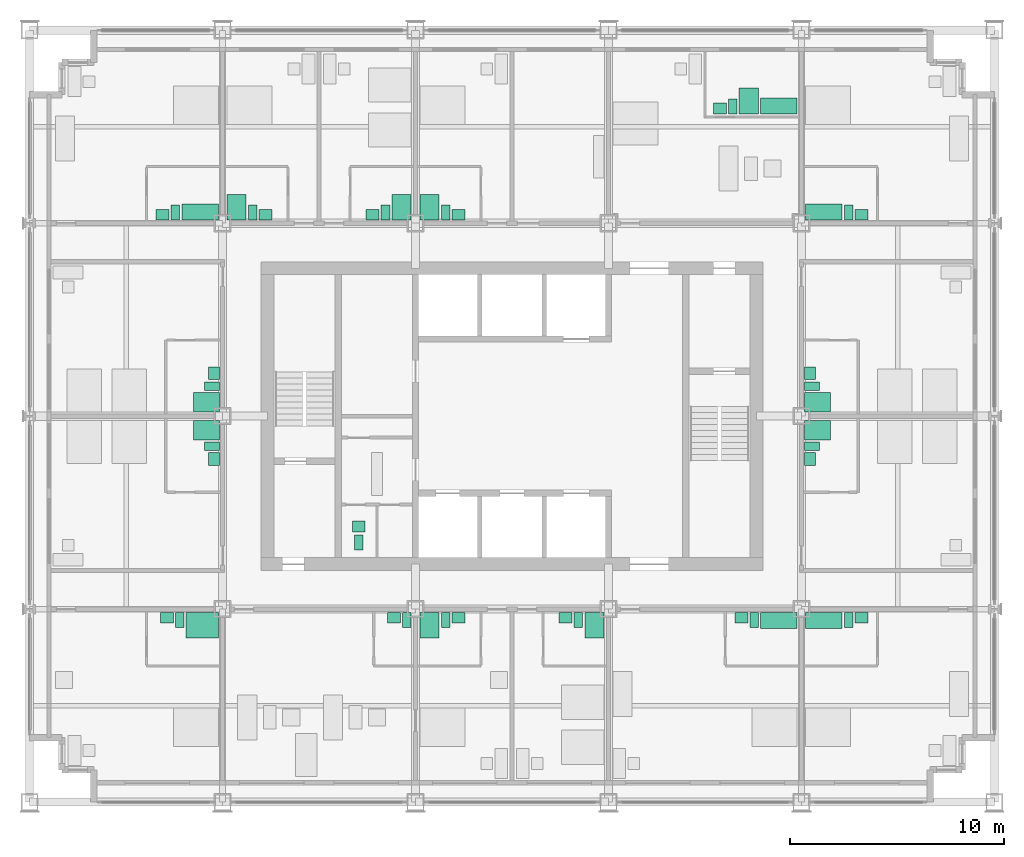
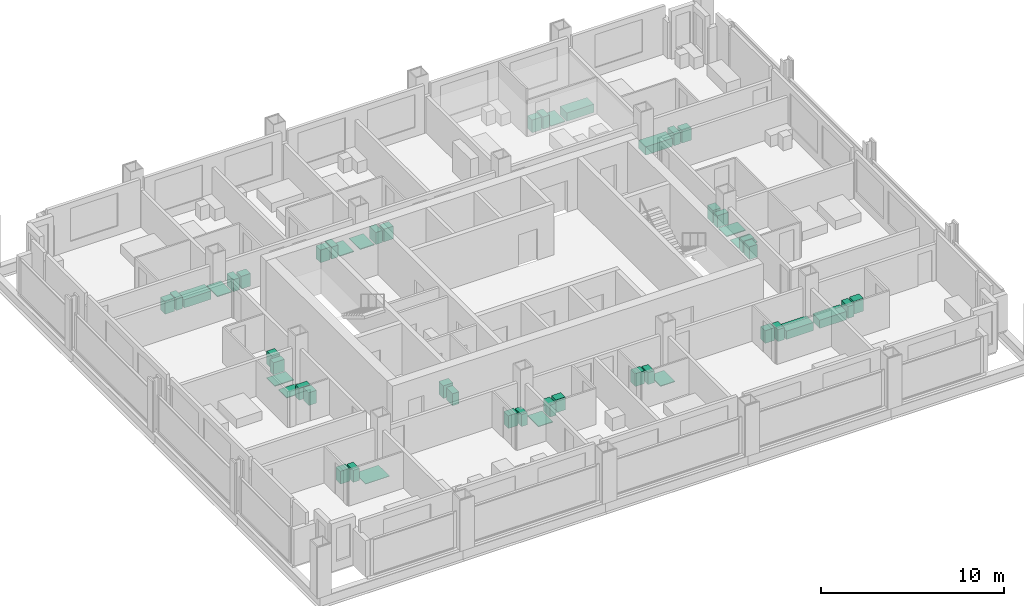
# One storey, part 15 of 16: 50 sanitary terminals.
"""IFC4 building model written with IfcOpenShell, lengths in metres."""

import ifcopenshell
import ifcopenshell.guid

model = None  # the IFC model being written
_history = None  # IfcOwnerHistory: only IFC2X3 demands one
_inside = {}  # id of a spatial element -> (the spatial element, [elements in it])
_under = {}  # id of a project, library or spatial element -> (it, [spatial elements below it])
_declared = {}  # id of a project -> (the project, [libraries it declares])
_typed = {}  # id of a type object -> (the type object, [elements of that type])
_made_of = {}  # id of a material, layer set ... -> (it, [elements and type objects made of it])


def new_model(schema):
    """Start an empty IFC model of exactly this schema.

    Asked for "IFC4X3", IfcOpenShell would pick the latest addendum, in which some entities
    have other attributes; the version numbers below select the first issue.
    IFC2X3 requires an IfcOwnerHistory on every rooted entity: one is made here for all.
    """
    global model, _history
    if schema == "IFC4X3":
        model = ifcopenshell.file(schema_version=(4, 3, 0, 0))
    else:
        model = ifcopenshell.file(schema=schema)
    _inside.clear()
    _under.clear()
    _declared.clear()
    _typed.clear()
    _made_of.clear()
    _history = None
    if model.schema == "IFC2X3":
        org = make("IfcOrganization", Name="unknown")
        user = make(
            "IfcPersonAndOrganization",
            ThePerson=make("IfcPerson", FamilyName="unknown"),
            TheOrganization=org,
        )
        app = make(
            "IfcApplication",
            ApplicationDeveloper=org,
            Version="unknown",
            ApplicationFullName="unknown",
            ApplicationIdentifier="unknown",
        )
        _history = make(
            "IfcOwnerHistory",
            OwningUser=user,
            OwningApplication=app,
            ChangeAction="ADDED",
            CreationDate=0,
        )
    return model


def make(cls, **values):
    """One entity of the class cls with the attributes given. An attribute that is None is left unset."""
    return model.create_entity(
        cls, **{name: value for name, value in values.items() if value is not None}
    )


def rooted(cls, **values):
    """An entity with a GlobalId (a new one), such as an element, a storey or a relation."""
    return make(cls, GlobalId=ifcopenshell.guid.new(), OwnerHistory=_history, **values)


def si_unit(unit_type, name, prefix=None):
    """IfcSIUnit, for example si_unit("LENGTHUNIT", "METRE", prefix="MILLI")."""
    return make("IfcSIUnit", UnitType=unit_type, Prefix=prefix, Name=name)


def assignment(units):
    """IfcUnitAssignment: the units of a project."""
    return None if units is None else make("IfcUnitAssignment", Units=units)


def point(xyz):
    """IfcCartesianPoint."""
    return None if xyz is None else make("IfcCartesianPoint", Coordinates=xyz)


def direction(xyz):
    """IfcDirection."""
    return None if xyz is None else make("IfcDirection", DirectionRatios=xyz)


def frame(location, z_axis=None, x_axis=None):
    """IfcAxis2Placement3D, a coordinate frame: its origin and axes. An axis left out is left unset."""
    return make(
        "IfcAxis2Placement3D",
        Location=point(location),
        Axis=direction(z_axis),
        RefDirection=direction(x_axis),
    )


def frame_2d(location, x_axis=None):
    """IfcAxis2Placement2D, a coordinate frame in the plane: its origin and x axis."""
    return make(
        "IfcAxis2Placement2D", Location=point(location), RefDirection=direction(x_axis)
    )


def origin():
    """The frame at (0, 0, 0) with its axes left unset."""
    return frame((0.0, 0.0, 0.0))


def origin_2d():
    """The frame at (0, 0) in the plane with its x axis left unset."""
    return frame_2d((0.0, 0.0))


def place(relative_to, where):
    """IfcLocalPlacement: puts the frame where relative to a parent placement (None: the world)."""
    return make(
        "IfcLocalPlacement", PlacementRelTo=relative_to, RelativePlacement=where
    )


def context(
    kind, dimensions, precision=None, world=None, true_north=None, identifier=None
):
    """IfcGeometricRepresentationContext, for example the 3D "Model" context."""
    return make(
        "IfcGeometricRepresentationContext",
        ContextIdentifier=identifier,
        ContextType=kind,
        CoordinateSpaceDimension=dimensions,
        Precision=precision,
        WorldCoordinateSystem=world,
        TrueNorth=true_north,
    )


def subcontext(parent, identifier, kind, view, scale=None):
    """IfcGeometricRepresentationSubContext, for example "Body" below "Model"."""
    return make(
        "IfcGeometricRepresentationSubContext",
        ContextIdentifier=identifier,
        ContextType=kind,
        ParentContext=parent,
        TargetScale=scale,
        TargetView=view,
    )


def project(units=None, contexts=None):
    """IfcProject with its units and contexts."""
    return rooted(
        "IfcProject",
        Name="project",
        RepresentationContexts=contexts,
        UnitsInContext=assignment(units),
    )


def spatial(cls, under=None, at=None, **own):
    """A site, building, storey or space (cls), placed at a placement, below another one or the project."""
    s = rooted(cls, ObjectPlacement=at, **own)
    if under is not None:
        _under.setdefault(under.id(), (under, []))[1].append(s)
    return s


def profile(cls, at=None, kind="AREA", **sizes):
    """A parametric profile (cls). Its sizes go by their IFC names, for example OverallWidth=200.0."""
    return make(cls, ProfileType=kind, Position=at, **sizes)


def rectangle(**sizes):
    """IfcRectangleProfileDef."""
    return profile("IfcRectangleProfileDef", **sizes)


def extrude(swept, where, along, depth):
    """IfcExtrudedAreaSolid: the profile swept, set in the frame where, extruded along a direction by depth."""
    return make(
        "IfcExtrudedAreaSolid",
        SweptArea=swept,
        Position=where,
        ExtrudedDirection=direction(along),
        Depth=depth,
    )


def shape(context_of_items, identifier, shape_type, items):
    """IfcShapeRepresentation: the items that make up one representation, for example the "Body"."""
    return make(
        "IfcShapeRepresentation",
        ContextOfItems=context_of_items,
        RepresentationIdentifier=identifier,
        RepresentationType=shape_type,
        Items=items,
    )


def made_of(thing, what):
    """Note that an element or type object is made of a material, layer set ...; save() writes the relation."""
    if what is not None:
        _made_of.setdefault(what.id(), (what, []))[1].append(thing)
    return thing


def element(
    cls,
    number,
    at=None,
    inside=None,
    cuts=None,
    type_object=None,
    material=None,
    context=None,
    identifier="Body",
    shape_type=None,
    held_by="IfcProductDefinitionShape",
    body=None,
    shapes=None,
    **own,
):
    """One element of the class cls, such as IfcWall. Its Tag is "e" and its number.

    at: its placement. inside: the storey or other place that contains it. cuts: it is an
    opening in that element (IfcRelVoidsElement). A single representation is given by context,
    identifier, shape_type and body (its items); several are given by shapes. held_by: the class
    of the entity that holds the representations. save() writes the other relations.
    """
    e = rooted(cls, Tag="e%d" % number, ObjectPlacement=at, **own)
    if body is not None:
        shapes = [shape(context, identifier, shape_type, body)]
    if shapes is not None:
        e.Representation = make(held_by, Representations=shapes)
    if inside is not None:
        _inside.setdefault(inside.id(), (inside, []))[1].append(e)
    if cuts is not None:
        rooted(
            "IfcRelVoidsElement", RelatingBuildingElement=cuts, RelatedOpeningElement=e
        )
    if type_object is not None:
        _typed.setdefault(type_object.id(), (type_object, []))[1].append(e)
    return made_of(e, material)


def aggregate(whole, parts):
    """IfcRelAggregates: a whole, such as a stair, and the parts it consists of."""
    return rooted("IfcRelAggregates", RelatingObject=whole, RelatedObjects=parts)


def save(model, path):
    """Write the relations noted so far, then the file.

    IfcRelAggregates (storeys below a building ...), IfcRelContainedInSpatialStructure (elements
    in a storey), IfcRelDefinesByType, IfcRelAssociatesMaterial and IfcRelDeclares: one each for
    every whole, place, type object, material and project.
    """
    for whole, parts in _under.values():
        aggregate(whole, parts)
    for where, things in _inside.values():
        rooted(
            "IfcRelContainedInSpatialStructure",
            RelatedElements=things,
            RelatingStructure=where,
        )
    for kind, things in _typed.values():
        rooted("IfcRelDefinesByType", RelatedObjects=things, RelatingType=kind)
    for what, things in _made_of.values():
        rooted("IfcRelAssociatesMaterial", RelatedObjects=things, RelatingMaterial=what)
    for by, libraries in _declared.values():
        rooted("IfcRelDeclares", RelatingContext=by, RelatedDefinitions=libraries)
    model.write(path)


model = new_model("IFC4")

# Units and contexts
model_context = context("Model", 3, precision=1e-05, world=origin(), true_north=direction((0.0, 1.0)))
body_context = subcontext(model_context, "Body", "Model", "MODEL_VIEW")
ifc_project = project(units=[si_unit("LENGTHUNIT", "METRE"), si_unit("AREAUNIT", "SQUARE_METRE"), si_unit("VOLUMEUNIT", "CUBIC_METRE"), si_unit("PLANEANGLEUNIT", "RADIAN"), si_unit("MASSUNIT", "GRAM", prefix="KILO")], contexts=[model_context])

# Site, building, storey
site_placement = place(None, origin())
site = spatial("IfcSite", under=ifc_project, at=site_placement, CompositionType="ELEMENT")
building_placement = place(site_placement, origin())
building = spatial("IfcBuilding", under=site, at=building_placement, Name="Loomwork Tower", CompositionType="ELEMENT")
storey_placement = place(building_placement, frame((0.0, 0.0, 128.199951171875)))
storey = spatial("IfcBuildingStorey", under=building, at=storey_placement, Name="L34", CompositionType="ELEMENT", Elevation=128.199951171875)

# Sanitary terminals
sanitary_terminal_1_placement = place(storey_placement, frame((8.050048828125, 8.25, 0.0), z_axis=(0.0, 0.0, 1.0), x_axis=(1.0, 0.0, 0.0)))
element("IfcSanitaryTerminal", 1, at=sanitary_terminal_1_placement, inside=storey, Name="Roll-in shower floor L34", PredefinedType="SHOWER", context=body_context, shape_type="SweptSolid", body=[
    extrude(rectangle(XDim=1.5, YDim=1.199951171875, at=origin_2d()), origin(), (0.0, 0.0, 1.0), 0.030029296875),
])
sanitary_terminal_2_placement = place(storey_placement, frame((7.0, 8.5, 0.0), z_axis=(0.0, 0.0, 1.0), x_axis=(1.0, 0.0, 0.0)))
element("IfcSanitaryTerminal", 2, at=sanitary_terminal_2_placement, inside=storey, Name="WC L34", PredefinedType="TOILETPAN", context=body_context, shape_type="SweptSolid", body=[
    extrude(rectangle(XDim=0.39990234375, YDim=0.699951171875, at=origin_2d()), origin(), (0.0, 0.0, 1.0), 0.800048828125),
])
sanitary_terminal_3_placement = place(storey_placement, frame((6.39990234375, 8.60009765625, 0.0), z_axis=(0.0, 0.0, 1.0), x_axis=(1.0, 0.0, 0.0)))
element("IfcSanitaryTerminal", 3, at=sanitary_terminal_3_placement, inside=storey, Name="Basin vanity L34", PredefinedType="WASHHANDBASIN", context=body_context, shape_type="SweptSolid", body=[
    extrude(rectangle(XDim=0.60009765625, YDim=0.5, at=origin_2d()), origin(), (0.0, 0.0, 1.0), 0.85009765625),
])
sanitary_terminal_4_placement = place(storey_placement, frame((17.60009765625, 8.5, 0.0), z_axis=(0.0, 0.0, 1.0), x_axis=(1.0, 0.0, 0.0)))
element("IfcSanitaryTerminal", 4, at=sanitary_terminal_4_placement, inside=storey, Name="WC L34", PredefinedType="TOILETPAN", context=body_context, shape_type="SweptSolid", body=[
    extrude(rectangle(XDim=0.39990234375, YDim=0.699951171875, at=origin_2d()), origin(), (0.0, 0.0, 1.0), 0.800048828125),
])
sanitary_terminal_5_placement = place(storey_placement, frame((17.0, 8.60009765625, 0.0), z_axis=(0.0, 0.0, 1.0), x_axis=(1.0, 0.0, 0.0)))
element("IfcSanitaryTerminal", 5, at=sanitary_terminal_5_placement, inside=storey, Name="Basin vanity L34", PredefinedType="WASHHANDBASIN", context=body_context, shape_type="SweptSolid", body=[
    extrude(rectangle(XDim=0.60009765625, YDim=0.5, at=origin_2d()), origin(), (0.0, 0.0, 1.0), 0.85009765625),
])
sanitary_terminal_6_placement = place(storey_placement, frame((18.64990234375, 8.25, 0.0), z_axis=(0.0, 0.0, 1.0), x_axis=(1.0, 0.0, 0.0)))
element("IfcSanitaryTerminal", 6, at=sanitary_terminal_6_placement, inside=storey, Name="Shower tray L34", PredefinedType="SHOWER", context=body_context, shape_type="SweptSolid", body=[
    extrude(rectangle(XDim=0.89990234375, YDim=1.199951171875, at=origin_2d()), origin(), (0.0, 0.0, 1.0), 0.050048828125),
])
sanitary_terminal_7_placement = place(storey_placement, frame((19.39990234375, 8.5, 0.0), z_axis=(0.0, 0.0, 1.0), x_axis=(1.0, 0.0, 0.0)))
element("IfcSanitaryTerminal", 7, at=sanitary_terminal_7_placement, inside=storey, Name="WC L34", PredefinedType="TOILETPAN", context=body_context, shape_type="SweptSolid", body=[
    extrude(rectangle(XDim=0.39990234375, YDim=0.699951171875, at=origin_2d()), origin(), (0.0, 0.0, 1.0), 0.800048828125),
])
sanitary_terminal_8_placement = place(storey_placement, frame((20.0, 8.60009765625, 0.0), z_axis=(0.0, 0.0, 1.0), x_axis=(1.0, 0.0, 0.0)))
element("IfcSanitaryTerminal", 8, at=sanitary_terminal_8_placement, inside=storey, Name="Basin vanity L34", PredefinedType="WASHHANDBASIN", context=body_context, shape_type="SweptSolid", body=[
    extrude(rectangle(XDim=0.60009765625, YDim=0.5, at=origin_2d()), origin(), (0.0, 0.0, 1.0), 0.85009765625),
])
sanitary_terminal_9_placement = place(storey_placement, frame((26.35009765625, 8.25, 0.0), z_axis=(0.0, 0.0, 1.0), x_axis=(1.0, 0.0, 0.0)))
element("IfcSanitaryTerminal", 9, at=sanitary_terminal_9_placement, inside=storey, Name="Shower tray L34", PredefinedType="SHOWER", context=body_context, shape_type="SweptSolid", body=[
    extrude(rectangle(XDim=0.89990234375, YDim=1.199951171875, at=origin_2d()), origin(), (0.0, 0.0, 1.0), 0.050048828125),
])
sanitary_terminal_10_placement = place(storey_placement, frame((25.60009765625, 8.5, 0.0), z_axis=(0.0, 0.0, 1.0), x_axis=(1.0, 0.0, 0.0)))
element("IfcSanitaryTerminal", 10, at=sanitary_terminal_10_placement, inside=storey, Name="WC L34", PredefinedType="TOILETPAN", context=body_context, shape_type="SweptSolid", body=[
    extrude(rectangle(XDim=0.39990234375, YDim=0.699951171875, at=origin_2d()), origin(), (0.0, 0.0, 1.0), 0.800048828125),
])
sanitary_terminal_11_placement = place(storey_placement, frame((25.0, 8.60009765625, 0.0), z_axis=(0.0, 0.0, 1.0), x_axis=(1.0, 0.0, 0.0)))
element("IfcSanitaryTerminal", 11, at=sanitary_terminal_11_placement, inside=storey, Name="Basin vanity L34", PredefinedType="WASHHANDBASIN", context=body_context, shape_type="SweptSolid", body=[
    extrude(rectangle(XDim=0.60009765625, YDim=0.5, at=origin_2d()), origin(), (0.0, 0.0, 1.0), 0.85009765625),
])
sanitary_terminal_12_placement = place(storey_placement, frame((34.949951171875, 8.47509765625, 0.0), z_axis=(0.0, 0.0, 1.0), x_axis=(1.0, 0.0, 0.0)))
element("IfcSanitaryTerminal", 12, at=sanitary_terminal_12_placement, inside=storey, Name="Bath L34", PredefinedType="BATH", context=body_context, shape_type="SweptSolid", body=[
    extrude(rectangle(XDim=1.699951171875, YDim=0.75, at=origin_2d()), origin(), (0.0, 0.0, 1.0), 0.550048828125),
])
sanitary_terminal_13_placement = place(storey_placement, frame((33.800048828125, 8.5, 0.0), z_axis=(0.0, 0.0, 1.0), x_axis=(1.0, 0.0, 0.0)))
element("IfcSanitaryTerminal", 13, at=sanitary_terminal_13_placement, inside=storey, Name="WC L34", PredefinedType="TOILETPAN", context=body_context, shape_type="SweptSolid", body=[
    extrude(rectangle(XDim=0.39990234375, YDim=0.699951171875, at=origin_2d()), origin(), (0.0, 0.0, 1.0), 0.800048828125),
])
sanitary_terminal_14_placement = place(storey_placement, frame((33.199951171875, 8.60009765625, 0.0), z_axis=(0.0, 0.0, 1.0), x_axis=(1.0, 0.0, 0.0)))
element("IfcSanitaryTerminal", 14, at=sanitary_terminal_14_placement, inside=storey, Name="Basin vanity L34", PredefinedType="WASHHANDBASIN", context=body_context, shape_type="SweptSolid", body=[
    extrude(rectangle(XDim=0.60009765625, YDim=0.5, at=origin_2d()), origin(), (0.0, 0.0, 1.0), 0.85009765625),
])
sanitary_terminal_15_placement = place(storey_placement, frame((37.050048828125, 8.47509765625, 0.0), z_axis=(0.0, 0.0, 1.0), x_axis=(1.0, 0.0, 0.0)))
element("IfcSanitaryTerminal", 15, at=sanitary_terminal_15_placement, inside=storey, Name="Bath L34", PredefinedType="BATH", context=body_context, shape_type="SweptSolid", body=[
    extrude(rectangle(XDim=1.699951171875, YDim=0.75, at=origin_2d()), origin(), (0.0, 0.0, 1.0), 0.550048828125),
])
sanitary_terminal_16_placement = place(storey_placement, frame((38.199951171875, 8.5, 0.0), z_axis=(0.0, 0.0, 1.0), x_axis=(1.0, 0.0, 0.0)))
element("IfcSanitaryTerminal", 16, at=sanitary_terminal_16_placement, inside=storey, Name="WC L34", PredefinedType="TOILETPAN", context=body_context, shape_type="SweptSolid", body=[
    extrude(rectangle(XDim=0.39990234375, YDim=0.699951171875, at=origin_2d()), origin(), (0.0, 0.0, 1.0), 0.800048828125),
])
sanitary_terminal_17_placement = place(storey_placement, frame((38.800048828125, 8.60009765625, 0.0), z_axis=(0.0, 0.0, 1.0), x_axis=(1.0, 0.0, 0.0)))
element("IfcSanitaryTerminal", 17, at=sanitary_terminal_17_placement, inside=storey, Name="Basin vanity L34", PredefinedType="WASHHANDBASIN", context=body_context, shape_type="SweptSolid", body=[
    extrude(rectangle(XDim=0.60009765625, YDim=0.5, at=origin_2d()), origin(), (0.0, 0.0, 1.0), 0.85009765625),
])
sanitary_terminal_18_placement = place(storey_placement, frame((7.949951171875, 27.52490234375, 0.0), z_axis=(0.0, 0.0, 1.0), x_axis=(1.0, 0.0, 0.0)))
element("IfcSanitaryTerminal", 18, at=sanitary_terminal_18_placement, inside=storey, Name="Bath L34", PredefinedType="BATH", context=body_context, shape_type="SweptSolid", body=[
    extrude(rectangle(XDim=1.699951171875, YDim=0.75, at=origin_2d()), origin(), (0.0, 0.0, 1.0), 0.550048828125),
])
sanitary_terminal_19_placement = place(storey_placement, frame((6.800048828125, 27.5, 0.0), z_axis=(0.0, 0.0, 1.0), x_axis=(1.0, 0.0, 0.0)))
element("IfcSanitaryTerminal", 19, at=sanitary_terminal_19_placement, inside=storey, Name="WC L34", PredefinedType="TOILETPAN", context=body_context, shape_type="SweptSolid", body=[
    extrude(rectangle(XDim=0.39990234375, YDim=0.699951171875, at=origin_2d()), origin(), (0.0, 0.0, 1.0), 0.800048828125),
])
sanitary_terminal_20_placement = place(storey_placement, frame((6.199951171875, 27.39990234375, 0.0), z_axis=(0.0, 0.0, 1.0), x_axis=(1.0, 0.0, 0.0)))
element("IfcSanitaryTerminal", 20, at=sanitary_terminal_20_placement, inside=storey, Name="Basin vanity L34", PredefinedType="WASHHANDBASIN", context=body_context, shape_type="SweptSolid", body=[
    extrude(rectangle(XDim=0.60009765625, YDim=0.5, at=origin_2d()), origin(), (0.0, 0.0, 1.0), 0.85009765625),
])
sanitary_terminal_21_placement = place(storey_placement, frame((9.64990234375, 27.75, 0.0), z_axis=(0.0, 0.0, 1.0), x_axis=(1.0, 0.0, 0.0)))
element("IfcSanitaryTerminal", 21, at=sanitary_terminal_21_placement, inside=storey, Name="Shower tray L34", PredefinedType="SHOWER", context=body_context, shape_type="SweptSolid", body=[
    extrude(rectangle(XDim=0.89990234375, YDim=1.199951171875, at=origin_2d()), origin(), (0.0, 0.0, 1.0), 0.050048828125),
])
sanitary_terminal_22_placement = place(storey_placement, frame((10.39990234375, 27.5, 0.0), z_axis=(0.0, 0.0, 1.0), x_axis=(1.0, 0.0, 0.0)))
element("IfcSanitaryTerminal", 22, at=sanitary_terminal_22_placement, inside=storey, Name="WC L34", PredefinedType="TOILETPAN", context=body_context, shape_type="SweptSolid", body=[
    extrude(rectangle(XDim=0.39990234375, YDim=0.699951171875, at=origin_2d()), origin(), (0.0, 0.0, 1.0), 0.800048828125),
])
sanitary_terminal_23_placement = place(storey_placement, frame((11.0, 27.39990234375, 0.0), z_axis=(0.0, 0.0, 1.0), x_axis=(1.0, 0.0, 0.0)))
element("IfcSanitaryTerminal", 23, at=sanitary_terminal_23_placement, inside=storey, Name="Basin vanity L34", PredefinedType="WASHHANDBASIN", context=body_context, shape_type="SweptSolid", body=[
    extrude(rectangle(XDim=0.60009765625, YDim=0.5, at=origin_2d()), origin(), (0.0, 0.0, 1.0), 0.85009765625),
])
sanitary_terminal_24_placement = place(storey_placement, frame((17.35009765625, 27.75, 0.0), z_axis=(0.0, 0.0, 1.0), x_axis=(1.0, 0.0, 0.0)))
element("IfcSanitaryTerminal", 24, at=sanitary_terminal_24_placement, inside=storey, Name="Shower tray L34", PredefinedType="SHOWER", context=body_context, shape_type="SweptSolid", body=[
    extrude(rectangle(XDim=0.89990234375, YDim=1.199951171875, at=origin_2d()), origin(), (0.0, 0.0, 1.0), 0.050048828125),
])
sanitary_terminal_25_placement = place(storey_placement, frame((16.60009765625, 27.5, 0.0), z_axis=(0.0, 0.0, 1.0), x_axis=(1.0, 0.0, 0.0)))
element("IfcSanitaryTerminal", 25, at=sanitary_terminal_25_placement, inside=storey, Name="WC L34", PredefinedType="TOILETPAN", context=body_context, shape_type="SweptSolid", body=[
    extrude(rectangle(XDim=0.39990234375, YDim=0.699951171875, at=origin_2d()), origin(), (0.0, 0.0, 1.0), 0.800048828125),
])
sanitary_terminal_26_placement = place(storey_placement, frame((16.0, 27.39990234375, 0.0), z_axis=(0.0, 0.0, 1.0), x_axis=(1.0, 0.0, 0.0)))
element("IfcSanitaryTerminal", 26, at=sanitary_terminal_26_placement, inside=storey, Name="Basin vanity L34", PredefinedType="WASHHANDBASIN", context=body_context, shape_type="SweptSolid", body=[
    extrude(rectangle(XDim=0.60009765625, YDim=0.5, at=origin_2d()), origin(), (0.0, 0.0, 1.0), 0.85009765625),
])
sanitary_terminal_27_placement = place(storey_placement, frame((18.64990234375, 27.75, 0.0), z_axis=(0.0, 0.0, 1.0), x_axis=(1.0, 0.0, 0.0)))
element("IfcSanitaryTerminal", 27, at=sanitary_terminal_27_placement, inside=storey, Name="Shower tray L34", PredefinedType="SHOWER", context=body_context, shape_type="SweptSolid", body=[
    extrude(rectangle(XDim=0.89990234375, YDim=1.199951171875, at=origin_2d()), origin(), (0.0, 0.0, 1.0), 0.050048828125),
])
sanitary_terminal_28_placement = place(storey_placement, frame((19.39990234375, 27.5, 0.0), z_axis=(0.0, 0.0, 1.0), x_axis=(1.0, 0.0, 0.0)))
element("IfcSanitaryTerminal", 28, at=sanitary_terminal_28_placement, inside=storey, Name="WC L34", PredefinedType="TOILETPAN", context=body_context, shape_type="SweptSolid", body=[
    extrude(rectangle(XDim=0.39990234375, YDim=0.699951171875, at=origin_2d()), origin(), (0.0, 0.0, 1.0), 0.800048828125),
])
sanitary_terminal_29_placement = place(storey_placement, frame((20.0, 27.39990234375, 0.0), z_axis=(0.0, 0.0, 1.0), x_axis=(1.0, 0.0, 0.0)))
element("IfcSanitaryTerminal", 29, at=sanitary_terminal_29_placement, inside=storey, Name="Basin vanity L34", PredefinedType="WASHHANDBASIN", context=body_context, shape_type="SweptSolid", body=[
    extrude(rectangle(XDim=0.60009765625, YDim=0.5, at=origin_2d()), origin(), (0.0, 0.0, 1.0), 0.85009765625),
])
sanitary_terminal_30_placement = place(storey_placement, frame((34.949951171875, 32.47509765625, 0.0), z_axis=(0.0, 0.0, 1.0), x_axis=(1.0, 0.0, 0.0)))
element("IfcSanitaryTerminal", 30, at=sanitary_terminal_30_placement, inside=storey, Name="Bath L34", PredefinedType="BATH", context=body_context, shape_type="SweptSolid", body=[
    extrude(rectangle(XDim=1.699951171875, YDim=0.75, at=origin_2d()), origin(), (0.0, 0.0, 1.0), 0.550048828125),
])
sanitary_terminal_31_placement = place(storey_placement, frame((33.550048828125, 32.699951171875, 0.0), z_axis=(0.0, 0.0, 1.0), x_axis=(1.0, 0.0, 0.0)))
element("IfcSanitaryTerminal", 31, at=sanitary_terminal_31_placement, inside=storey, Name="Shower tray L34", PredefinedType="SHOWER", context=body_context, shape_type="SweptSolid", body=[
    extrude(rectangle(XDim=0.89990234375, YDim=1.199951171875, at=origin_2d()), origin(), (0.0, 0.0, 1.0), 0.050048828125),
])
sanitary_terminal_32_placement = place(storey_placement, frame((32.800048828125, 32.449951171875, 0.0), z_axis=(0.0, 0.0, 1.0), x_axis=(1.0, 0.0, 0.0)))
element("IfcSanitaryTerminal", 32, at=sanitary_terminal_32_placement, inside=storey, Name="WC L34", PredefinedType="TOILETPAN", context=body_context, shape_type="SweptSolid", body=[
    extrude(rectangle(XDim=0.39990234375, YDim=0.699951171875, at=origin_2d()), origin(), (0.0, 0.0, 1.0), 0.800048828125),
])
sanitary_terminal_33_placement = place(storey_placement, frame((32.199951171875, 32.35009765625, 0.0), z_axis=(0.0, 0.0, 1.0), x_axis=(1.0, 0.0, 0.0)))
element("IfcSanitaryTerminal", 33, at=sanitary_terminal_33_placement, inside=storey, Name="Basin vanity L34", PredefinedType="WASHHANDBASIN", context=body_context, shape_type="SweptSolid", body=[
    extrude(rectangle(XDim=0.60009765625, YDim=0.5, at=origin_2d()), origin(), (0.0, 0.0, 1.0), 0.85009765625),
])
sanitary_terminal_34_placement = place(storey_placement, frame((37.050048828125, 27.52490234375, 0.0), z_axis=(0.0, 0.0, 1.0), x_axis=(1.0, 0.0, 0.0)))
element("IfcSanitaryTerminal", 34, at=sanitary_terminal_34_placement, inside=storey, Name="Bath L34", PredefinedType="BATH", context=body_context, shape_type="SweptSolid", body=[
    extrude(rectangle(XDim=1.699951171875, YDim=0.75, at=origin_2d()), origin(), (0.0, 0.0, 1.0), 0.550048828125),
])
sanitary_terminal_35_placement = place(storey_placement, frame((38.199951171875, 27.5, 0.0), z_axis=(0.0, 0.0, 1.0), x_axis=(1.0, 0.0, 0.0)))
element("IfcSanitaryTerminal", 35, at=sanitary_terminal_35_placement, inside=storey, Name="WC L34", PredefinedType="TOILETPAN", context=body_context, shape_type="SweptSolid", body=[
    extrude(rectangle(XDim=0.39990234375, YDim=0.699951171875, at=origin_2d()), origin(), (0.0, 0.0, 1.0), 0.800048828125),
])
sanitary_terminal_36_placement = place(storey_placement, frame((38.800048828125, 27.39990234375, 0.0), z_axis=(0.0, 0.0, 1.0), x_axis=(1.0, 0.0, 0.0)))
element("IfcSanitaryTerminal", 36, at=sanitary_terminal_36_placement, inside=storey, Name="Basin vanity L34", PredefinedType="WASHHANDBASIN", context=body_context, shape_type="SweptSolid", body=[
    extrude(rectangle(XDim=0.60009765625, YDim=0.5, at=origin_2d()), origin(), (0.0, 0.0, 1.0), 0.85009765625),
])
sanitary_terminal_37_placement = place(storey_placement, frame((8.25, 17.35009765625, 0.0), z_axis=(0.0, 0.0, 1.0), x_axis=(1.0, 0.0, 0.0)))
element("IfcSanitaryTerminal", 37, at=sanitary_terminal_37_placement, inside=storey, Name="Shower tray L34", PredefinedType="SHOWER", context=body_context, shape_type="SweptSolid", body=[
    extrude(rectangle(XDim=1.199951171875, YDim=0.89990234375, at=origin_2d()), origin(), (0.0, 0.0, 1.0), 0.050048828125),
])
sanitary_terminal_38_placement = place(storey_placement, frame((8.5, 16.60009765625, 0.0), z_axis=(0.0, 0.0, 1.0), x_axis=(1.0, 0.0, 0.0)))
element("IfcSanitaryTerminal", 38, at=sanitary_terminal_38_placement, inside=storey, Name="WC L34", PredefinedType="TOILETPAN", context=body_context, shape_type="SweptSolid", body=[
    extrude(rectangle(XDim=0.699951171875, YDim=0.39990234375, at=origin_2d()), origin(), (0.0, 0.0, 1.0), 0.800048828125),
])
sanitary_terminal_39_placement = place(storey_placement, frame((8.60009765625, 16.0, 0.0), z_axis=(0.0, 0.0, 1.0), x_axis=(1.0, 0.0, 0.0)))
element("IfcSanitaryTerminal", 39, at=sanitary_terminal_39_placement, inside=storey, Name="Basin vanity L34", PredefinedType="WASHHANDBASIN", context=body_context, shape_type="SweptSolid", body=[
    extrude(rectangle(XDim=0.5, YDim=0.60009765625, at=origin_2d()), origin(), (0.0, 0.0, 1.0), 0.85009765625),
])
sanitary_terminal_40_placement = place(storey_placement, frame((8.25, 18.64990234375, 0.0), z_axis=(0.0, 0.0, 1.0), x_axis=(1.0, 0.0, 0.0)))
element("IfcSanitaryTerminal", 40, at=sanitary_terminal_40_placement, inside=storey, Name="Shower tray L34", PredefinedType="SHOWER", context=body_context, shape_type="SweptSolid", body=[
    extrude(rectangle(XDim=1.199951171875, YDim=0.89990234375, at=origin_2d()), origin(), (0.0, 0.0, 1.0), 0.050048828125),
])
sanitary_terminal_41_placement = place(storey_placement, frame((8.5, 19.39990234375, 0.0), z_axis=(0.0, 0.0, 1.0), x_axis=(1.0, 0.0, 0.0)))
element("IfcSanitaryTerminal", 41, at=sanitary_terminal_41_placement, inside=storey, Name="WC L34", PredefinedType="TOILETPAN", context=body_context, shape_type="SweptSolid", body=[
    extrude(rectangle(XDim=0.699951171875, YDim=0.39990234375, at=origin_2d()), origin(), (0.0, 0.0, 1.0), 0.800048828125),
])
sanitary_terminal_42_placement = place(storey_placement, frame((8.60009765625, 20.0, 0.0), z_axis=(0.0, 0.0, 1.0), x_axis=(1.0, 0.0, 0.0)))
element("IfcSanitaryTerminal", 42, at=sanitary_terminal_42_placement, inside=storey, Name="Basin vanity L34", PredefinedType="WASHHANDBASIN", context=body_context, shape_type="SweptSolid", body=[
    extrude(rectangle(XDim=0.5, YDim=0.60009765625, at=origin_2d()), origin(), (0.0, 0.0, 1.0), 0.85009765625),
])
sanitary_terminal_43_placement = place(storey_placement, frame((36.75, 17.35009765625, 0.0), z_axis=(0.0, 0.0, 1.0), x_axis=(1.0, 0.0, 0.0)))
element("IfcSanitaryTerminal", 43, at=sanitary_terminal_43_placement, inside=storey, Name="Shower tray L34", PredefinedType="SHOWER", context=body_context, shape_type="SweptSolid", body=[
    extrude(rectangle(XDim=1.199951171875, YDim=0.89990234375, at=origin_2d()), origin(), (0.0, 0.0, 1.0), 0.050048828125),
])
sanitary_terminal_44_placement = place(storey_placement, frame((36.5, 16.60009765625, 0.0), z_axis=(0.0, 0.0, 1.0), x_axis=(1.0, 0.0, 0.0)))
element("IfcSanitaryTerminal", 44, at=sanitary_terminal_44_placement, inside=storey, Name="WC L34", PredefinedType="TOILETPAN", context=body_context, shape_type="SweptSolid", body=[
    extrude(rectangle(XDim=0.699951171875, YDim=0.39990234375, at=origin_2d()), origin(), (0.0, 0.0, 1.0), 0.800048828125),
])
sanitary_terminal_45_placement = place(storey_placement, frame((36.39990234375, 16.0, 0.0), z_axis=(0.0, 0.0, 1.0), x_axis=(1.0, 0.0, 0.0)))
element("IfcSanitaryTerminal", 45, at=sanitary_terminal_45_placement, inside=storey, Name="Basin vanity L34", PredefinedType="WASHHANDBASIN", context=body_context, shape_type="SweptSolid", body=[
    extrude(rectangle(XDim=0.5, YDim=0.60009765625, at=origin_2d()), origin(), (0.0, 0.0, 1.0), 0.85009765625),
])
sanitary_terminal_46_placement = place(storey_placement, frame((36.75, 18.64990234375, 0.0), z_axis=(0.0, 0.0, 1.0), x_axis=(1.0, 0.0, 0.0)))
element("IfcSanitaryTerminal", 46, at=sanitary_terminal_46_placement, inside=storey, Name="Shower tray L34", PredefinedType="SHOWER", context=body_context, shape_type="SweptSolid", body=[
    extrude(rectangle(XDim=1.199951171875, YDim=0.89990234375, at=origin_2d()), origin(), (0.0, 0.0, 1.0), 0.050048828125),
])
sanitary_terminal_47_placement = place(storey_placement, frame((36.5, 19.39990234375, 0.0), z_axis=(0.0, 0.0, 1.0), x_axis=(1.0, 0.0, 0.0)))
element("IfcSanitaryTerminal", 47, at=sanitary_terminal_47_placement, inside=storey, Name="WC L34", PredefinedType="TOILETPAN", context=body_context, shape_type="SweptSolid", body=[
    extrude(rectangle(XDim=0.699951171875, YDim=0.39990234375, at=origin_2d()), origin(), (0.0, 0.0, 1.0), 0.800048828125),
])
sanitary_terminal_48_placement = place(storey_placement, frame((36.39990234375, 20.0, 0.0), z_axis=(0.0, 0.0, 1.0), x_axis=(1.0, 0.0, 0.0)))
element("IfcSanitaryTerminal", 48, at=sanitary_terminal_48_placement, inside=storey, Name="Basin vanity L34", PredefinedType="WASHHANDBASIN", context=body_context, shape_type="SweptSolid", body=[
    extrude(rectangle(XDim=0.5, YDim=0.60009765625, at=origin_2d()), origin(), (0.0, 0.0, 1.0), 0.85009765625),
])
sanitary_terminal_49_placement = place(storey_placement, frame((15.35009765625, 12.10009765625, 0.0), z_axis=(0.0, 0.0, 1.0), x_axis=(1.0, 0.0, 0.0)))
element("IfcSanitaryTerminal", 49, at=sanitary_terminal_49_placement, inside=storey, Name="WC L34", PredefinedType="TOILETPAN", context=body_context, shape_type="SweptSolid", body=[
    extrude(rectangle(XDim=0.39990234375, YDim=0.699951171875, at=origin_2d()), origin(), (0.0, 0.0, 1.0), 0.800048828125),
])
sanitary_terminal_50_placement = place(storey_placement, frame((15.35009765625, 12.85009765625, 0.0), z_axis=(0.0, 0.0, 1.0), x_axis=(1.0, 0.0, 0.0)))
element("IfcSanitaryTerminal", 50, at=sanitary_terminal_50_placement, inside=storey, Name="Basin L34", PredefinedType="WASHHANDBASIN", context=body_context, shape_type="SweptSolid", body=[
    extrude(rectangle(XDim=0.60009765625, YDim=0.5, at=origin_2d()), origin(), (0.0, 0.0, 1.0), 0.85009765625),
])

save(model, "model.ifc")
